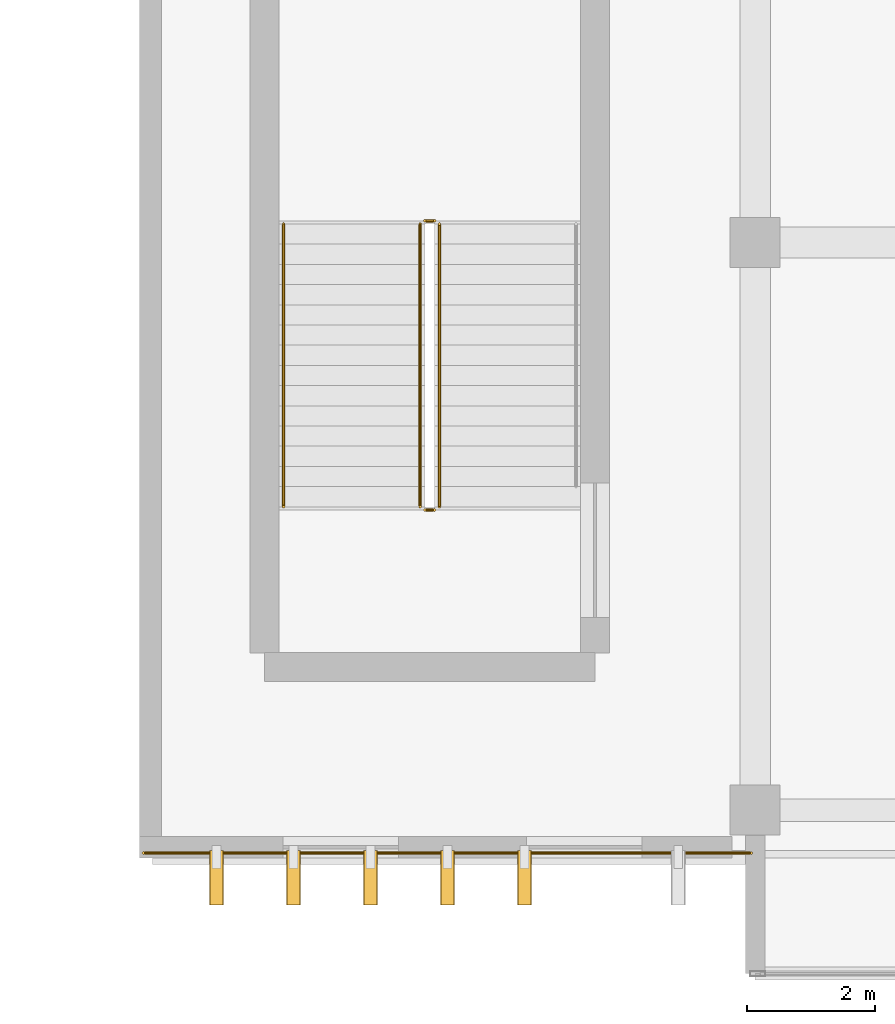
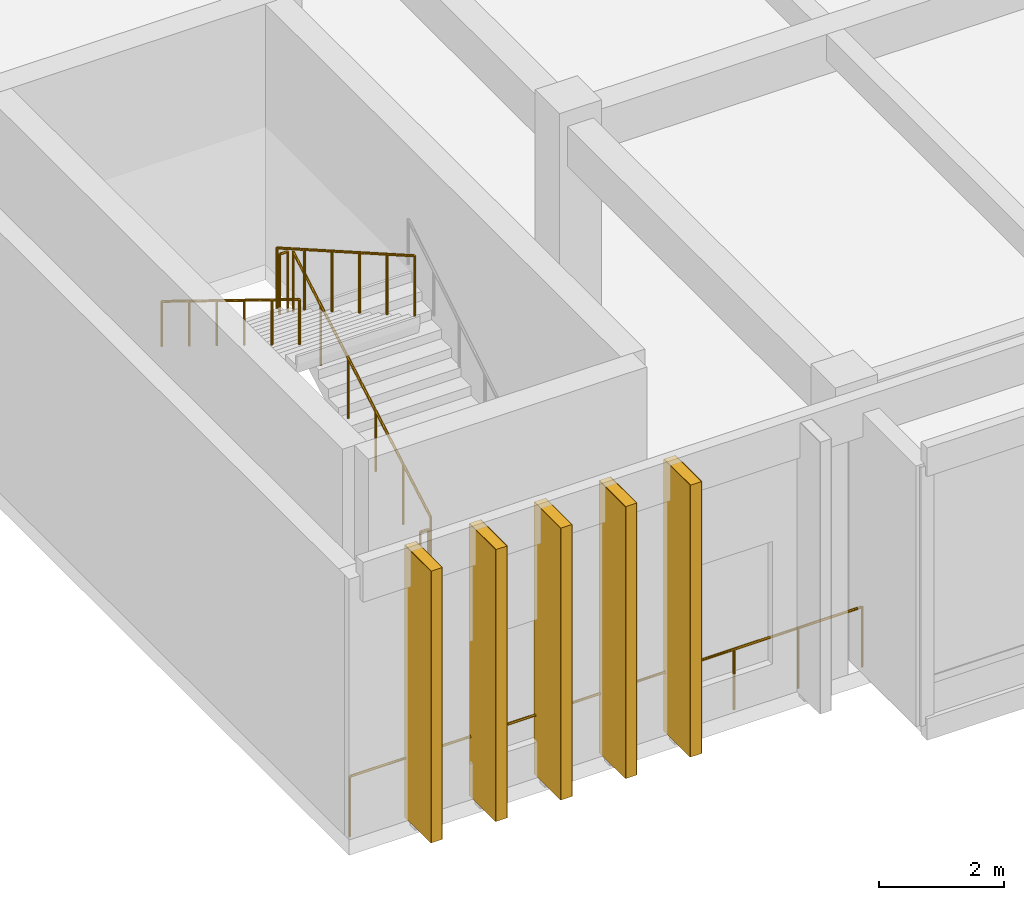
# One storey, part 116 of 134: 6 railings, 5 coverings, 5 shading devices.
"""IFC4 building model written with IfcOpenShell, lengths in metres."""

from ifc_helpers import new_model, si_unit, direction, frame, origin, origin_2d, place, context, subcontext, project, spatial, rectangle, circle, extrude, material, layer, layer_set, type_object, element, save


model = new_model("IFC4")

# Units and contexts
model_context = context("Model", 3, precision=1e-05, world=origin(), true_north=direction((0.0, 1.0)))
body_context = subcontext(model_context, "Body", "Model", "MODEL_VIEW")
ifc_project = project(units=[si_unit("LENGTHUNIT", "METRE"), si_unit("AREAUNIT", "SQUARE_METRE"), si_unit("VOLUMEUNIT", "CUBIC_METRE"), si_unit("PLANEANGLEUNIT", "RADIAN"), si_unit("MASSUNIT", "GRAM", prefix="KILO")], contexts=[model_context])

# Site, building, storey
site_placement = place(None, origin())
site = spatial("IfcSite", under=ifc_project, at=site_placement, CompositionType="ELEMENT")
building_placement = place(site_placement, origin())
building = spatial("IfcBuilding", under=site, at=building_placement, Name="Nakhvara Creek Congress Hotel", CompositionType="ELEMENT")
storey_placement = place(building_placement, frame((0.0, 0.0, 6.0)))
storey = spatial("IfcBuildingStorey", under=building, at=storey_placement, Name="L01", CompositionType="ELEMENT", Elevation=6.0)

# Coverings
ifc_material_1 = material(Name="Honed pale Omani limestone architectural cladding", Category="masonry")
ifc_layer = layer(ifc_material_1, 0.219970703125)
ifc_layer_set = layer_set([ifc_layer], Name="Honed pale Omani limestone architectural cladding")
covering_type = type_object("IfcCoveringType", Name="COV-FIN-850", PredefinedType="CLADDING", material=ifc_layer_set)
for number, where, z_axis, x_axis, name in (
    (1, (58.800048828125, -0.304931640625, 0.0), (0.0, 0.0, 1.0), (1.0, 0.0, 0.0), "Pale Limestone Fin Cladding CF01-0148"),
    (2, (60.0, -0.304931640625, 0.0), (0.0, 0.0, 1.0), (1.0, 0.0, 0.0), "Pale Limestone Fin Cladding CF01-0149"),
    (3, (61.199951171875, -0.304931640625, 0.0), (0.0, 0.0, 1.0), (1.0, 0.0, 0.0), "Pale Limestone Fin Cladding CF01-0150"),
    (4, (62.39990234375, -0.304931640625, 0.0), (0.0, 0.0, 1.0), (1.0, 0.0, 0.0), "Pale Limestone Fin Cladding CF01-0151"),
    (5, (63.60009765625, -0.304931640625, 0.0), (0.0, 0.0, 1.0), (1.0, 0.0, 0.0), "Pale Limestone Fin Cladding CF01-0152"),
):
    element("IfcCovering", number, at=place(storey_placement, frame(where, z_axis=z_axis, x_axis=x_axis)), inside=storey, type_object=covering_type, Name=name, PredefinedType="CLADDING", context=body_context, shape_type="SweptSolid", body=[
        extrude(rectangle(XDim=0.219970703125, YDim=0.85009765625, at=origin_2d()), origin(), (0.0, 0.0, 1.0), 5.320068359375),
    ])

# Railings
ifc_material_2 = material(Name="Brushed stainless steel 316L", Category="steel")
railing_type_1 = type_object("IfcRailingType", Name="RL-GUARD-1200", PredefinedType="GUARDRAIL", material=ifc_material_2)
railing_1_placement = place(storey_placement, frame((57.659912109375, 0.080078125, 0.0)))
element("IfcRailing", 6, at=railing_1_placement, inside=storey, type_object=railing_type_1, Name="South Spa Facade Safety Rail L01-57", PredefinedType="GUARDRAIL", context=body_context, shape_type="SweptSolid", body=[
    extrude(circle(Radius=0.02392578125, at=origin_2d()), frame((0.0146484375, 0.0, 1.17578125), z_axis=(1.0, 0.0, 0.0), x_axis=(0.0, 1.0, 0.0)), (0.0, 0.0, 1.0), 9.45068359375),
    extrude(circle(Radius=0.02099609375, at=origin_2d()), origin(), (0.0, 0.0, 1.0), 1.1806640625),
    extrude(circle(Radius=0.02099609375, at=origin_2d()), frame((1.18505859375, 0.0, 0.0)), (0.0, 0.0, 1.0), 1.1806640625),
    extrude(circle(Radius=0.02099609375, at=origin_2d()), frame((2.3701171875, 0.0, 0.0)), (0.0, 0.0, 1.0), 1.1806640625),
    extrude(circle(Radius=0.02099609375, at=origin_2d()), frame((3.554931640625, 0.0, 0.0)), (0.0, 0.0, 1.0), 1.1806640625),
    extrude(circle(Radius=0.02099609375, at=origin_2d()), frame((4.739990234375, 0.0, 0.0)), (0.0, 0.0, 1.0), 1.1806640625),
    extrude(circle(Radius=0.02099609375, at=origin_2d()), frame((5.925048828125, 0.0, 0.0)), (0.0, 0.0, 1.0), 1.1806640625),
    extrude(circle(Radius=0.02099609375, at=origin_2d()), frame((7.10986328125, 0.0, 0.0)), (0.0, 0.0, 1.0), 1.1806640625),
    extrude(circle(Radius=0.02099609375, at=origin_2d()), frame((8.294921875, 0.0, 0.0)), (0.0, 0.0, 1.0), 1.1806640625),
    extrude(circle(Radius=0.02099609375, at=origin_2d()), frame((9.47998046875, 0.0, 0.0)), (0.0, 0.0, 1.0), 1.1806640625),
])
railing_2_placement = place(storey_placement, frame((62.27490234375, 5.47998046875, 0.179931640625)))
element("IfcRailing", 7, at=railing_2_placement, inside=storey, type_object=railing_type_1, Name="L01 ST11 stair guard 1", PredefinedType="GUARDRAIL", context=body_context, shape_type="SweptSolid", body=[
    extrude(circle(Radius=0.02392578125, at=origin_2d()), frame((0.0, 0.0126953125, 1.18310546875), z_axis=(0.0, 0.868237226104, 0.49614929125), x_axis=(-1.0, 0.0, 0.0)), (0.0, 0.0, 1.0), 5.0498046875),
    extrude(circle(Radius=0.02099609375, at=origin_2d()), origin(), (0.0, 0.0, 1.0), 1.1806640625),
    extrude(circle(Radius=0.02099609375, at=origin_2d()), frame((0.0, 0.882080078125, 0.50390625)), (0.0, 0.0, 1.0), 1.1806640625),
    extrude(circle(Radius=0.02099609375, at=origin_2d()), frame((0.0, 1.763916015625, 1.008056640625)), (0.0, 0.0, 1.0), 1.1806640625),
    extrude(circle(Radius=0.02099609375, at=origin_2d()), frame((0.0, 2.64599609375, 1.511962890625)), (0.0, 0.0, 1.0), 1.1806640625),
    extrude(circle(Radius=0.02099609375, at=origin_2d()), frame((0.0, 3.52783203125, 2.01611328125)), (0.0, 0.0, 1.0), 1.1806640625),
    extrude(circle(Radius=0.02099609375, at=origin_2d()), frame((0.0, 4.409912109375, 2.52001953125)), (0.0, 0.0, 1.0), 1.1806640625),
])
railing_3_placement = place(storey_placement, frame((62.199951171875, 9.93994140625, 2.699951171875)))
element("IfcRailing", 8, at=railing_3_placement, inside=storey, type_object=railing_type_1, Name="L01 ST11 stair guard 2", PredefinedType="GUARDRAIL", context=body_context, shape_type="SweptSolid", body=[
    extrude(circle(Radius=0.02392578125, at=origin_2d()), frame((-0.0146484375, 0.0, 1.17578125), z_axis=(-1.0, 0.0, 0.0), x_axis=(0.0, -1.0, 0.0)), (0.0, 0.0, 1.0), 0.12060546875),
    extrude(circle(Radius=0.02099609375, at=origin_2d()), origin(), (0.0, 0.0, 1.0), 1.1806640625),
    extrude(circle(Radius=0.02099609375, at=origin_2d()), frame((-0.14990234375, 0.0, 0.0)), (0.0, 0.0, 1.0), 1.1806640625),
])
railing_4_placement = place(storey_placement, frame((61.97509765625, 9.889892578125, 2.8798828125)))
element("IfcRailing", 9, at=railing_4_placement, inside=storey, type_object=railing_type_1, Name="L01 ST11 stair guard 3", PredefinedType="GUARDRAIL", context=body_context, shape_type="SweptSolid", body=[
    extrude(circle(Radius=0.02392578125, at=origin_2d()), frame((0.0, -0.0126953125, 1.18310546875), z_axis=(0.0, -0.868237226104, 0.49614929125), x_axis=(1.0, 0.0, 0.0)), (0.0, 0.0, 1.0), 5.0498046875),
    extrude(circle(Radius=0.02099609375, at=origin_2d()), origin(), (0.0, 0.0, 1.0), 1.1806640625),
    extrude(circle(Radius=0.02099609375, at=origin_2d()), frame((0.0, -0.882080078125, 0.50390625)), (0.0, 0.0, 1.0), 1.1806640625),
    extrude(circle(Radius=0.02099609375, at=origin_2d()), frame((0.0, -1.763916015625, 1.008056640625)), (0.0, 0.0, 1.0), 1.1806640625),
    extrude(circle(Radius=0.02099609375, at=origin_2d()), frame((0.0, -2.64599609375, 1.511962890625)), (0.0, 0.0, 1.0), 1.1806640625),
    extrude(circle(Radius=0.02099609375, at=origin_2d()), frame((0.0, -3.52783203125, 2.01611328125)), (0.0, 0.0, 1.0), 1.1806640625),
    extrude(circle(Radius=0.02099609375, at=origin_2d()), frame((0.0, -4.409912109375, 2.52001953125)), (0.0, 0.0, 1.0), 1.1806640625),
])
railing_5_placement = place(storey_placement, frame((62.199951171875, 5.429931640625, 0.0)))
element("IfcRailing", 10, at=railing_5_placement, inside=storey, type_object=railing_type_1, Name="L01 ST11 stair guard 4", PredefinedType="GUARDRAIL", context=body_context, shape_type="SweptSolid", body=[
    extrude(circle(Radius=0.02392578125, at=origin_2d()), frame((-0.0146484375, 0.0, 1.17578125), z_axis=(-1.0, 0.0, 0.0), x_axis=(0.0, -1.0, 0.0)), (0.0, 0.0, 1.0), 0.12060546875),
    extrude(circle(Radius=0.02099609375, at=origin_2d()), origin(), (0.0, 0.0, 1.0), 1.1806640625),
    extrude(circle(Radius=0.02099609375, at=origin_2d()), frame((-0.14990234375, 0.0, 0.0)), (0.0, 0.0, 1.0), 1.1806640625),
])
railing_type_2 = type_object("IfcRailingType", Name="RL-HAND-900", PredefinedType="HANDRAIL", material=ifc_material_2)
railing_6_placement = place(storey_placement, frame((59.844970703125, 9.889892578125, 2.8798828125)))
element("IfcRailing", 11, at=railing_6_placement, inside=storey, type_object=railing_type_2, Name="L01 ST11 stair handrail 2", PredefinedType="HANDRAIL", context=body_context, shape_type="SweptSolid", body=[
    extrude(circle(Radius=0.02392578125, at=origin_2d()), frame((0.0, -0.012451171875, 0.883544921875), z_axis=(0.0, -0.851883319301, 0.523731620486), x_axis=(1.0, 0.0, 0.0)), (0.0, 0.0, 1.0), 5.147216796875),
    extrude(circle(Radius=0.02099609375, at=origin_2d()), origin(), (0.0, 0.0, 1.0), 0.880615234375),
    extrude(circle(Radius=0.02099609375, at=origin_2d()), frame((0.0, -0.882080078125, 0.542236328125)), (0.0, 0.0, 1.0), 0.880615234375),
    extrude(circle(Radius=0.02099609375, at=origin_2d()), frame((0.0, -1.763916015625, 1.08447265625)), (0.0, 0.0, 1.0), 0.880615234375),
    extrude(circle(Radius=0.02099609375, at=origin_2d()), frame((0.0, -2.64599609375, 1.626708984375)), (0.0, 0.0, 1.0), 0.880615234375),
    extrude(circle(Radius=0.02099609375, at=origin_2d()), frame((0.0, -3.52783203125, 2.1689453125)), (0.0, 0.0, 1.0), 0.880615234375),
    extrude(circle(Radius=0.02099609375, at=origin_2d()), frame((0.0, -4.409912109375, 2.711181640625)), (0.0, 0.0, 1.0), 0.880615234375),
])

# Shading devices
ifc_material_3 = material(Name="Honed pale Omani limestone cladding on stainless steel spine", Category="masonry")
shading_device_type = type_object("IfcShadingDeviceType", Name="SHD-FIN-850X4700", PredefinedType="USERDEFINED", material=ifc_material_3)
for number, where, z_axis, x_axis, name in (
    (12, (58.800048828125, -0.304931640625, 0.0), (0.0, 0.0, 1.0), (1.0, 0.0, 0.0), "Limestone Solar Fin FN02-0148"),
    (13, (60.0, -0.304931640625, 0.0), (0.0, 0.0, 1.0), (1.0, 0.0, 0.0), "Limestone Solar Fin FN02-0149"),
    (14, (61.199951171875, -0.304931640625, 0.0), (0.0, 0.0, 1.0), (1.0, 0.0, 0.0), "Limestone Solar Fin FN02-0150"),
    (15, (62.39990234375, -0.304931640625, 0.0), (0.0, 0.0, 1.0), (1.0, 0.0, 0.0), "Limestone Solar Fin FN02-0151"),
    (16, (63.60009765625, -0.304931640625, 0.0), (0.0, 0.0, 1.0), (1.0, 0.0, 0.0), "Limestone Solar Fin FN02-0152"),
):
    element("IfcShadingDevice", number, at=place(storey_placement, frame(where, z_axis=z_axis, x_axis=x_axis)), inside=storey, type_object=shading_device_type, Name=name, ObjectType="FIN", PredefinedType="USERDEFINED", context=body_context, shape_type="SweptSolid", body=[
        extrude(rectangle(XDim=0.199951171875, YDim=0.85009765625, at=origin_2d()), origin(), (0.0, 0.0, 1.0), 5.320068359375),
    ])

save(model, "model.ifc")
